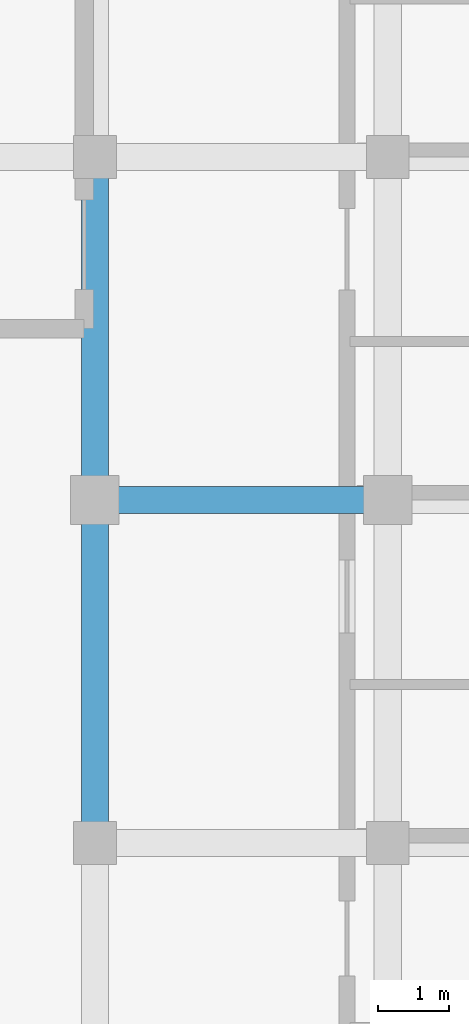
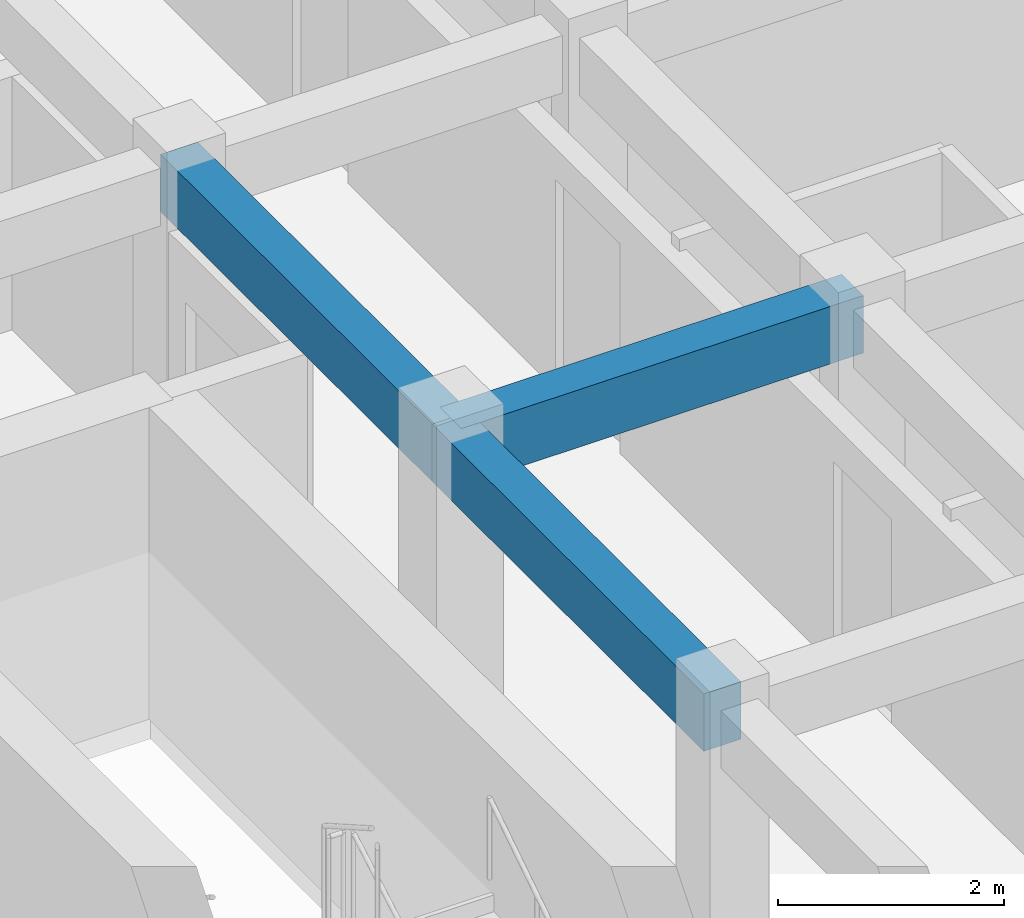
# One storey, part 19 of 53: 3 beams.
"""IFC4 building model written with IfcOpenShell, lengths in metres."""

from ifc_helpers import new_model, si_unit, direction, frame, origin, origin_2d, place, context, subcontext, project, spatial, rectangle, extrude, material, material_profile, profile_set, type_object, element, save


model = new_model("IFC4")

# Units and contexts
model_context = context("Model", 3, precision=1e-05, world=origin(), true_north=direction((0.0, 1.0)))
body_context = subcontext(model_context, "Body", "Model", "MODEL_VIEW")
ifc_project = project(units=[si_unit("LENGTHUNIT", "METRE"), si_unit("AREAUNIT", "SQUARE_METRE"), si_unit("VOLUMEUNIT", "CUBIC_METRE"), si_unit("PLANEANGLEUNIT", "RADIAN"), si_unit("MASSUNIT", "GRAM", prefix="KILO")], contexts=[model_context])

# Site, building, storey
site_placement = place(None, origin())
site = spatial("IfcSite", under=ifc_project, at=site_placement, CompositionType="ELEMENT")
building_placement = place(site_placement, origin())
building = spatial("IfcBuilding", under=site, at=building_placement, Name="Nakhvara Creek Congress Hotel", CompositionType="ELEMENT")
storey_placement = place(building_placement, frame((0.0, 0.0, 35.39990234375)))
storey = spatial("IfcBuildingStorey", under=building, at=storey_placement, Name="L08", CompositionType="ELEMENT", Elevation=35.39990234375)

# Beams
ifc_material = material(Name="Concrete C40/50", Category="concrete")
ifc_material_profile = material_profile(ifc_material, rectangle(XDim=0.3798828125, YDim=0.6201171875, at=origin_2d()), Name="RC-BM 380x620", Category="LoadBearing")
ifc_profile_set = profile_set([ifc_material_profile], Name="Concrete C40/50")
beam_type = type_object("IfcBeamType", Name="BM-RC-380X620", PredefinedType="BEAM", material=ifc_profile_set)
beam_1_placement = place(storey_placement, frame((162.35009765625, 86.39990234375, 3.050048828125), z_axis=(1.0, 0.0, 0.0), x_axis=(0.0, 1.0, 0.0)))
element("IfcBeam", 1, at=beam_1_placement, inside=storey, type_object=beam_type, Name="Beam B10-L08-2459", PredefinedType="BEAM", context=body_context, shape_type="SweptSolid", body=[
    extrude(rectangle(XDim=0.3798828125, YDim=0.6201171875, at=origin_2d()), origin(), (0.0, 0.0, 1.0), 4.099853515625),
])
beam_2_placement = place(storey_placement, frame((162.35009765625, 81.60009765625, 3.050048828125), z_axis=(0.0, 1.0, 0.0), x_axis=(-1.0, 0.0, 0.0)))
element("IfcBeam", 2, at=beam_2_placement, inside=storey, type_object=beam_type, Name="Beam B10-L08-2460", PredefinedType="BEAM", context=body_context, shape_type="SweptSolid", body=[
    extrude(rectangle(XDim=0.3798828125, YDim=0.6201171875, at=origin_2d()), origin(), (0.0, 0.0, 1.0), 4.7998046875),
])
beam_3_placement = place(storey_placement, frame((162.35009765625, 86.39990234375, 3.050048828125), z_axis=(0.0, 1.0, 0.0), x_axis=(-1.0, 0.0, 0.0)))
element("IfcBeam", 3, at=beam_3_placement, inside=storey, type_object=beam_type, Name="Beam B10-L08-2461", PredefinedType="BEAM", context=body_context, shape_type="SweptSolid", body=[
    extrude(rectangle(XDim=0.3798828125, YDim=0.6201171875, at=origin_2d()), origin(), (0.0, 0.0, 1.0), 4.800048828125),
])

save(model, "model.ifc")
